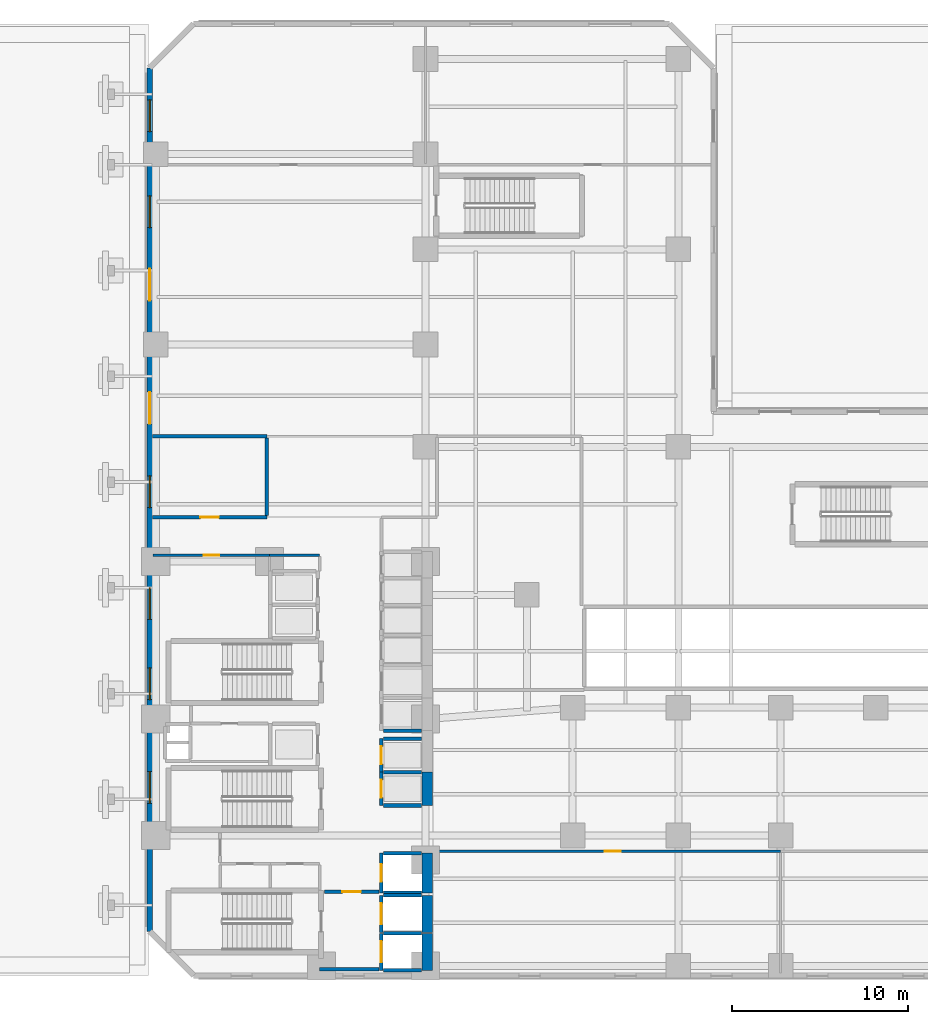
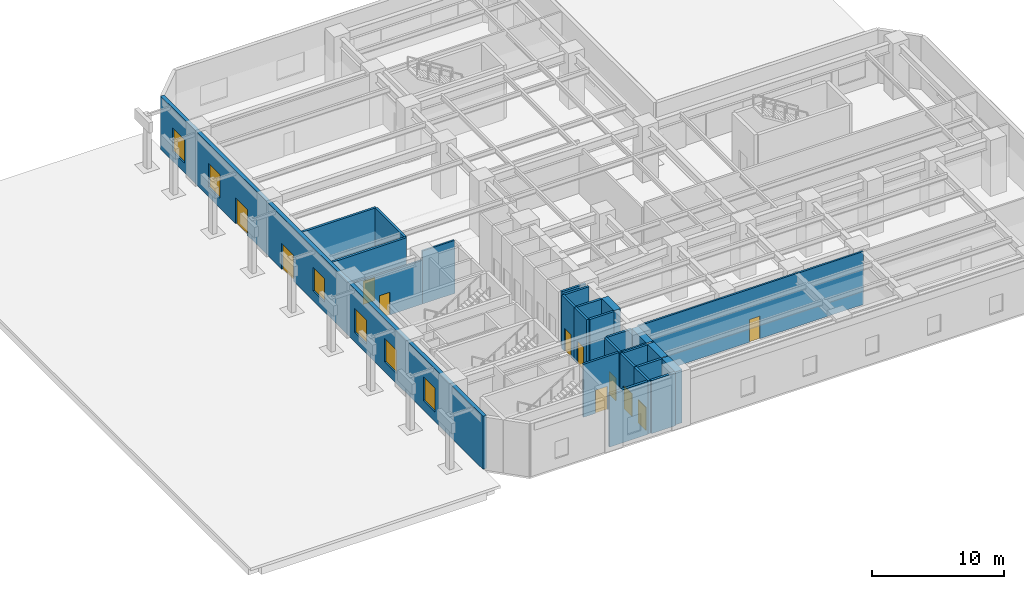
# One storey, part 4 of 14: 27 walls, 11 doors, 6 windows, 17 openings.
"""IFC4 building model written with IfcOpenShell, lengths in metres."""

from ifc_helpers import new_model, si_unit, direction, frame, frame_2d, origin, place, context, subcontext, project, spatial, rectangle, extrude, material, layer, layer_set, type_object, element, fill, save


model = new_model("IFC4")

# Units and contexts
model_context = context("Model", 3, precision=1e-05, world=origin(), true_north=direction((0.0, 1.0)))
body_context = subcontext(model_context, "Body", "Model", "MODEL_VIEW")
ifc_project = project(units=[si_unit("LENGTHUNIT", "METRE"), si_unit("AREAUNIT", "SQUARE_METRE"), si_unit("VOLUMEUNIT", "CUBIC_METRE"), si_unit("PLANEANGLEUNIT", "RADIAN"), si_unit("MASSUNIT", "GRAM", prefix="KILO")], contexts=[model_context])

# Site, building, storey
site_placement = place(None, origin())
site = spatial("IfcSite", under=ifc_project, at=site_placement, CompositionType="ELEMENT")
building_placement = place(site_placement, origin())
building = spatial("IfcBuilding", under=site, at=building_placement, Name="Mawjaban Terraces University", CompositionType="ELEMENT")
storey_placement = place(building_placement, origin())
storey = spatial("IfcBuildingStorey", under=building, at=storey_placement, Name="L00", CompositionType="ELEMENT", Elevation=0.0)

# Walls
ifc_material_1 = material(Name="Concrete C70/85", Category="concrete")
ifc_layer_1 = layer(ifc_material_1, 0.60009765625)
ifc_layer_set_1 = layer_set([ifc_layer_1], Name="Concrete C70/85")
wall_type_1 = type_object("IfcWallType", Name="CoreShearWall_600", PredefinedType="SHEAR", material=ifc_layer_set_1)
wall_1_placement = place(storey_placement, frame((37.75, 0.300048828125, 0.0), z_axis=(0.0, 0.0, 1.0), x_axis=(0.0, 1.0, 0.0)))
element("IfcWall", 1, at=wall_1_placement, inside=storey, type_object=wall_type_1, Name="L00 Lift FL-1 Hoistway Wall East", PredefinedType="SHEAR", context=body_context, shape_type="SweptSolid", body=[
    extrude(rectangle(XDim=2.099853515625, YDim=0.60009765625, at=frame_2d((1.0498046875, 0.0))), origin(), (0.0, 0.0, 1.0), 4.919921875),
])
wall_2_placement = place(storey_placement, frame((37.75, 2.449951171875, 0.0), z_axis=(0.0, 0.0, 1.0), x_axis=(0.0, 1.0, 0.0)))
element("IfcWall", 2, at=wall_2_placement, inside=storey, type_object=wall_type_1, Name="L00 Lift FL-2 Hoistway Wall East", PredefinedType="SHEAR", context=body_context, shape_type="SweptSolid", body=[
    extrude(rectangle(XDim=2.10009765625, YDim=0.60009765625, at=frame_2d((1.050048828125, 0.0))), origin(), (0.0, 0.0, 1.0), 4.919921875),
])
wall_3_placement = place(storey_placement, frame((37.75, 4.699951171875, 0.0), z_axis=(0.0, 0.0, 1.0), x_axis=(0.0, 1.0, 0.0)))
element("IfcWall", 3, at=wall_3_placement, inside=storey, type_object=wall_type_1, Name="L00 Lift SL-1 Hoistway Wall East", PredefinedType="SHEAR", context=body_context, shape_type="SweptSolid", body=[
    extrude(rectangle(XDim=2.25, YDim=0.60009765625, at=frame_2d((1.125, 0.0))), origin(), (0.0, 0.0, 1.0), 4.919921875),
])
wall_4_placement = place(storey_placement, frame((37.75, 9.64990234375, 0.0), z_axis=(0.0, 0.0, 1.0), x_axis=(0.0, 1.0, 0.0)))
element("IfcWall", 4, at=wall_4_placement, inside=storey, type_object=wall_type_1, Name="L00 Lift PL-H1 Hoistway Wall East", PredefinedType="SHEAR", context=body_context, shape_type="SweptSolid", body=[
    extrude(rectangle(XDim=1.900146484375, YDim=0.60009765625, at=frame_2d((0.9501953125, 0.0))), origin(), (0.0, 0.0, 1.0), 4.919921875),
])

# Wall, opening, door
ifc_material_2 = material(Name="Fire-rated gypsum board on steel stud", Category="steel")
ifc_layer_2 = layer(ifc_material_2, 0.159912109375)
ifc_layer_set_2 = layer_set([ifc_layer_2], Name="Fire-rated gypsum board on steel stud")
wall_type_2 = type_object("IfcWallType", Name="CorridorPartition_160", PredefinedType="PARTITIONING", material=ifc_layer_set_2)
wall_5_placement = place(storey_placement, frame((28.800048828125, 23.85009765625, 0.0), z_axis=(0.0, 0.0, 1.0), x_axis=(-1.0, 0.0, 0.0)))
wall_5 = element("IfcWall", 5, at=wall_5_placement, inside=storey, type_object=wall_type_2, Name="L00 Female Toilet Partition 6", PredefinedType="PARTITIONING", context=body_context, shape_type="SweptSolid", body=[
    extrude(rectangle(XDim=6.60009765625, YDim=0.159912109375, at=frame_2d((3.300048828125, 0.0))), origin(), (0.0, 0.0, 1.0), 4.06494140625),
])
opening_1_placement = place(wall_5_placement, frame((2.860107421875, 0.0, 0.0)))
opening_1 = element("IfcOpeningElement", 6, at=opening_1_placement, cuts=wall_5, Name="Opening ID-088", PredefinedType="OPENING", context=body_context, shape_type="SweptSolid", body=[
    extrude(rectangle(XDim=0.8798828125, YDim=2.10009765625, at=frame_2d((0.43994140625, 1.050048828125))), frame((0.0, 0.08984375, 0.0), z_axis=(0.0, -1.0, 0.0), x_axis=(1.0, 0.0, 0.0)), (0.0, 0.0, 1.0), 0.179931640625),
])
ifc_material_3 = material(Name="Powder-coated steel frame and solid acoustic timber leaf", Category="steel")
door_type_1 = type_object("IfcDoorType", Name="ToiletDoor_880x2100", OperationType="NOTDEFINED", PredefinedType="DOOR", material=ifc_material_3)
door_1_placement = place(opening_1_placement, origin())
door_1 = element("IfcDoor", 7, at=door_1_placement, inside=storey, type_object=door_type_1, Name="L00 Female Toilet Door", OperationType="SINGLE_SWING_LEFT", OverallHeight=2.10009765625, OverallWidth=0.8798828125, PredefinedType="DOOR", context=body_context, shape_type="SweptSolid", body=[
    extrude(rectangle(XDim=0.8798828125, YDim=2.10009765625, at=frame_2d((0.43994140625, 1.050048828125))), frame((0.0, 0.02490234375, 0.0), z_axis=(0.0, -1.0, 0.0), x_axis=(1.0, 0.0, 0.0)), (0.0, 0.0, 1.0), 0.050048828125),
])
fill(opening_1, door_1)

# Wall
wall_6_placement = place(storey_placement, frame((28.800048828125, 23.85009765625, 0.0), z_axis=(0.0, 0.0, 1.0), x_axis=(1.0, 0.0, 0.0)))
element("IfcWall", 8, at=wall_6_placement, inside=storey, type_object=wall_type_2, Name="L00 North Core Cross-Corridor Partition 7", PredefinedType="PARTITIONING", context=body_context, shape_type="SweptSolid", body=[
    extrude(rectangle(XDim=2.849853515625, YDim=0.159912109375, at=frame_2d((1.4248046875, 0.0))), origin(), (0.0, 0.0, 1.0), 4.919921875),
])

# Wall, opening, door
wall_7_placement = place(storey_placement, frame((38.050048828125, 7.050048828125, 0.0), z_axis=(0.0, 0.0, 1.0), x_axis=(1.0, 0.0, 0.0)))
wall_7 = element("IfcWall", 9, at=wall_7_placement, inside=storey, type_object=wall_type_2, Name="L00 Podium Lecture Theatre Foyer Partition 13", PredefinedType="PARTITIONING", context=body_context, shape_type="SweptSolid", body=[
    extrude(rectangle(XDim=19.75, YDim=0.159912109375, at=frame_2d((9.875, 0.0))), origin(), (0.0, 0.0, 1.0), 4.919921875),
])
opening_2_placement = place(wall_7_placement, frame((9.77490234375, 0.0, 0.0)))
opening_2 = element("IfcOpeningElement", 10, at=opening_2_placement, cuts=wall_7, Name="Opening ID-090", PredefinedType="OPENING", context=body_context, shape_type="SweptSolid", body=[
    extrude(rectangle(XDim=0.89990234375, YDim=2.10009765625, at=frame_2d((0.449951171875, 1.050048828125))), frame((0.0, 0.08984375, 0.0), z_axis=(0.0, -1.0, 0.0), x_axis=(1.0, 0.0, 0.0)), (0.0, 0.0, 1.0), 0.179931640625),
])
door_type_2 = type_object("IfcDoorType", Name="OfficeDoor_900x2100", OperationType="NOTDEFINED", PredefinedType="DOOR", material=ifc_material_3)
door_2_placement = place(opening_2_placement, origin())
door_2 = element("IfcDoor", 11, at=door_2_placement, inside=storey, type_object=door_type_2, Name="L00 Campus Security and Estates Office Door", OperationType="SINGLE_SWING_LEFT", OverallHeight=2.10009765625, OverallWidth=0.89990234375, PredefinedType="DOOR", context=body_context, shape_type="SweptSolid", body=[
    extrude(rectangle(XDim=0.89990234375, YDim=2.10009765625, at=frame_2d((0.449951171875, 1.050048828125))), frame((0.0, 0.02490234375, 0.0), z_axis=(0.0, -1.0, 0.0), x_axis=(1.0, 0.0, 0.0)), (0.0, 0.0, 1.0), 0.050048828125),
])
fill(opening_2, door_2)

# Wall, openings, doors, windows
ifc_material_4 = material(Name="Insulated terracotta rainscreen on concrete backup C40/50", Category="masonry")
ifc_layer_3 = layer(ifc_material_4, 0.320068359375)
ifc_layer_set_3 = layer_set([ifc_layer_3], Name="Insulated terracotta rainscreen on concrete backup C40/50")
wall_type_3 = type_object("IfcWallType", Name="ExtTerracottaWall_320", PredefinedType="SOLIDWALL", material=ifc_layer_set_3)
wall_8_placement = place(storey_placement, frame((22.0, 51.5, 0.0), z_axis=(0.0, 0.0, 1.0), x_axis=(0.0, -1.0, 0.0)))
wall_8 = element("IfcWall", 12, at=wall_8_placement, inside=storey, type_object=wall_type_3, Name="L00 Exterior Terracotta Wall 10", PredefinedType="SOLIDWALL", context=body_context, shape_type="SweptSolid", body=[
    extrude(rectangle(XDim=49.0, YDim=0.320068359375, at=frame_2d((24.5, 0.0))), origin(), (0.0, 0.0, 1.0), 4.919921875),
])
opening_3_placement = place(wall_8_placement, frame((11.39990234375, 0.0, 0.0)))
opening_3 = element("IfcOpeningElement", 13, at=opening_3_placement, cuts=wall_8, Name="Opening ED-180", PredefinedType="OPENING", context=body_context, shape_type="SweptSolid", body=[
    extrude(rectangle(XDim=1.800048828125, YDim=2.39990234375, at=frame_2d((0.89990234375, 1.199951171875))), frame((0.0, 0.169921875, 0.0), z_axis=(0.0, -1.0, 0.0), x_axis=(1.0, 0.0, 0.0)), (0.0, 0.0, 1.0), 0.340087890625),
])
opening_4_placement = place(wall_8_placement, frame((18.39990234375, 0.0, 0.0)))
opening_4 = element("IfcOpeningElement", 14, at=opening_4_placement, cuts=wall_8, Name="Opening ED-180", PredefinedType="OPENING", context=body_context, shape_type="SweptSolid", body=[
    extrude(rectangle(XDim=1.800048828125, YDim=2.39990234375, at=frame_2d((0.89990234375, 1.199951171875))), frame((0.0, 0.169921875, 0.0), z_axis=(0.0, -1.0, 0.0), x_axis=(1.0, 0.0, 0.0)), (0.0, 0.0, 1.0), 0.340087890625),
])
opening_5_placement = place(wall_8_placement, frame((1.822021484375, 0.0, 0.89990234375)))
opening_5 = element("IfcOpeningElement", 15, at=opening_5_placement, cuts=wall_8, Name="Opening W-10", PredefinedType="OPENING", context=body_context, shape_type="SweptSolid", body=[
    extrude(rectangle(XDim=1.800048828125, YDim=2.199951171875, at=frame_2d((0.89990234375, 1.10009765625))), frame((0.0, 0.169921875, 0.0), z_axis=(0.0, -1.0, 0.0), x_axis=(1.0, 0.0, 0.0)), (0.0, 0.0, 1.0), 0.340087890625),
])
opening_6_placement = place(wall_8_placement, frame((7.26708984375, 0.0, 0.89990234375)))
opening_6 = element("IfcOpeningElement", 16, at=opening_6_placement, cuts=wall_8, Name="Opening W-10", PredefinedType="OPENING", context=body_context, shape_type="SweptSolid", body=[
    extrude(rectangle(XDim=1.800048828125, YDim=2.199951171875, at=frame_2d((0.89990234375, 1.10009765625))), frame((0.0, 0.169921875, 0.0), z_axis=(0.0, -1.0, 0.0), x_axis=(1.0, 0.0, 0.0)), (0.0, 0.0, 1.0), 0.340087890625),
])
opening_7_placement = place(wall_8_placement, frame((23.14990234375, 0.0, 0.89990234375)))
opening_7 = element("IfcOpeningElement", 17, at=opening_7_placement, cuts=wall_8, Name="Opening W-10", PredefinedType="OPENING", context=body_context, shape_type="SweptSolid", body=[
    extrude(rectangle(XDim=1.800048828125, YDim=2.199951171875, at=frame_2d((0.89990234375, 1.10009765625))), frame((0.0, 0.169921875, 0.0), z_axis=(0.0, -1.0, 0.0), x_axis=(1.0, 0.0, 0.0)), (0.0, 0.0, 1.0), 0.340087890625),
])
opening_8_placement = place(wall_8_placement, frame((29.493896484375, 0.0, 0.89990234375)))
opening_8 = element("IfcOpeningElement", 18, at=opening_8_placement, cuts=wall_8, Name="Opening W-10", PredefinedType="OPENING", context=body_context, shape_type="SweptSolid", body=[
    extrude(rectangle(XDim=1.800048828125, YDim=2.199951171875, at=frame_2d((0.89990234375, 1.10009765625))), frame((0.0, 0.169921875, 0.0), z_axis=(0.0, -1.0, 0.0), x_axis=(1.0, 0.0, 0.0)), (0.0, 0.0, 1.0), 0.340087890625),
])
opening_9_placement = place(wall_8_placement, frame((34.0390625, 0.0, 0.89990234375)))
opening_9 = element("IfcOpeningElement", 19, at=opening_9_placement, cuts=wall_8, Name="Opening W-10", PredefinedType="OPENING", context=body_context, shape_type="SweptSolid", body=[
    extrude(rectangle(XDim=1.800048828125, YDim=2.199951171875, at=frame_2d((0.89990234375, 1.10009765625))), frame((0.0, 0.169921875, 0.0), z_axis=(0.0, -1.0, 0.0), x_axis=(1.0, 0.0, 0.0)), (0.0, 0.0, 1.0), 0.340087890625),
])
opening_10_placement = place(wall_8_placement, frame((39.93310546875, 0.0, 0.89990234375)))
opening_10 = element("IfcOpeningElement", 20, at=opening_10_placement, cuts=wall_8, Name="Opening W-10", PredefinedType="OPENING", context=body_context, shape_type="SweptSolid", body=[
    extrude(rectangle(XDim=1.800048828125, YDim=2.199951171875, at=frame_2d((0.89990234375, 1.10009765625))), frame((0.0, 0.169921875, 0.0), z_axis=(0.0, -1.0, 0.0), x_axis=(1.0, 0.0, 0.0)), (0.0, 0.0, 1.0), 0.340087890625),
])
ifc_material_5 = material(Name="Thermally broken anodised aluminium and laminated safety glass", Category="aluminium")
door_type_3 = type_object("IfcDoorType", Name="ExtEntranceDouble_1800x2400", OperationType="NOTDEFINED", PredefinedType="DOOR", material=ifc_material_5)
door_3_placement = place(opening_3_placement, origin())
door_3 = element("IfcDoor", 21, at=door_3_placement, inside=storey, type_object=door_type_3, Name="L00 Plaza Pedestrian Exit and Entrance Door W03", OperationType="DOUBLE_DOOR_SINGLE_SWING", OverallHeight=2.39990234375, OverallWidth=1.800048828125, PredefinedType="DOOR", context=body_context, shape_type="SweptSolid", body=[
    extrude(rectangle(XDim=1.800048828125, YDim=2.39990234375, at=frame_2d((0.89990234375, 1.199951171875))), frame((0.0, 0.02490234375, 0.0), z_axis=(0.0, -1.0, 0.0), x_axis=(1.0, 0.0, 0.0)), (0.0, 0.0, 1.0), 0.050048828125),
])
fill(opening_3, door_3)
door_4_placement = place(opening_4_placement, origin())
door_4 = element("IfcDoor", 22, at=door_4_placement, inside=storey, type_object=door_type_3, Name="L00 Plaza Pedestrian Exit and Entrance Door W04", OperationType="DOUBLE_DOOR_SINGLE_SWING", OverallHeight=2.39990234375, OverallWidth=1.800048828125, PredefinedType="DOOR", context=body_context, shape_type="SweptSolid", body=[
    extrude(rectangle(XDim=1.800048828125, YDim=2.39990234375, at=frame_2d((0.89990234375, 1.199951171875))), frame((0.0, 0.02490234375, 0.0), z_axis=(0.0, -1.0, 0.0), x_axis=(1.0, 0.0, 0.0)), (0.0, 0.0, 1.0), 0.050048828125),
])
fill(opening_4, door_4)
ifc_material_6 = material(Name="Low-E solar-control double glazing in thermally broken aluminium frame", Category="aluminium")
window_type = type_object("IfcWindowType", Name="Win_1800x2200", PartitioningType="SINGLE_PANEL", PredefinedType="WINDOW", material=ifc_material_6)
window_1_placement = place(opening_5_placement, origin())
window_1 = element("IfcWindow", 23, at=window_1_placement, inside=storey, type_object=window_type, Name="L00 Facade Window 10.1", OverallHeight=2.199951171875, OverallWidth=1.800048828125, PartitioningType="SINGLE_PANEL", PredefinedType="WINDOW", context=body_context, shape_type="SweptSolid", body=[
    extrude(rectangle(XDim=1.800048828125, YDim=2.199951171875, at=frame_2d((0.89990234375, 1.10009765625))), frame((0.0, 0.030029296875, 0.0), z_axis=(0.0, -1.0, 0.0), x_axis=(1.0, 0.0, 0.0)), (0.0, 0.0, 1.0), 0.06005859375),
])
fill(opening_5, window_1)
window_2_placement = place(opening_6_placement, origin())
window_2 = element("IfcWindow", 24, at=window_2_placement, inside=storey, type_object=window_type, Name="L00 Facade Window 10.2", OverallHeight=2.199951171875, OverallWidth=1.800048828125, PartitioningType="SINGLE_PANEL", PredefinedType="WINDOW", context=body_context, shape_type="SweptSolid", body=[
    extrude(rectangle(XDim=1.800048828125, YDim=2.199951171875, at=frame_2d((0.89990234375, 1.10009765625))), frame((0.0, 0.030029296875, 0.0), z_axis=(0.0, -1.0, 0.0), x_axis=(1.0, 0.0, 0.0)), (0.0, 0.0, 1.0), 0.06005859375),
])
fill(opening_6, window_2)
window_3_placement = place(opening_7_placement, origin())
window_3 = element("IfcWindow", 25, at=window_3_placement, inside=storey, type_object=window_type, Name="L00 Facade Window 10.5", OverallHeight=2.199951171875, OverallWidth=1.800048828125, PartitioningType="SINGLE_PANEL", PredefinedType="WINDOW", context=body_context, shape_type="SweptSolid", body=[
    extrude(rectangle(XDim=1.800048828125, YDim=2.199951171875, at=frame_2d((0.89990234375, 1.10009765625))), frame((0.0, 0.030029296875, 0.0), z_axis=(0.0, -1.0, 0.0), x_axis=(1.0, 0.0, 0.0)), (0.0, 0.0, 1.0), 0.06005859375),
])
fill(opening_7, window_3)
window_4_placement = place(opening_8_placement, origin())
window_4 = element("IfcWindow", 26, at=window_4_placement, inside=storey, type_object=window_type, Name="L00 Facade Window 10.6", OverallHeight=2.199951171875, OverallWidth=1.800048828125, PartitioningType="SINGLE_PANEL", PredefinedType="WINDOW", context=body_context, shape_type="SweptSolid", body=[
    extrude(rectangle(XDim=1.800048828125, YDim=2.199951171875, at=frame_2d((0.89990234375, 1.10009765625))), frame((0.0, 0.030029296875, 0.0), z_axis=(0.0, -1.0, 0.0), x_axis=(1.0, 0.0, 0.0)), (0.0, 0.0, 1.0), 0.06005859375),
])
fill(opening_8, window_4)
window_5_placement = place(opening_9_placement, origin())
window_5 = element("IfcWindow", 27, at=window_5_placement, inside=storey, type_object=window_type, Name="L00 Facade Window 10.7", OverallHeight=2.199951171875, OverallWidth=1.800048828125, PartitioningType="SINGLE_PANEL", PredefinedType="WINDOW", context=body_context, shape_type="SweptSolid", body=[
    extrude(rectangle(XDim=1.800048828125, YDim=2.199951171875, at=frame_2d((0.89990234375, 1.10009765625))), frame((0.0, 0.030029296875, 0.0), z_axis=(0.0, -1.0, 0.0), x_axis=(1.0, 0.0, 0.0)), (0.0, 0.0, 1.0), 0.06005859375),
])
fill(opening_9, window_5)
window_6_placement = place(opening_10_placement, origin())
window_6 = element("IfcWindow", 28, at=window_6_placement, inside=storey, type_object=window_type, Name="L00 Facade Window 10.8", OverallHeight=2.199951171875, OverallWidth=1.800048828125, PartitioningType="SINGLE_PANEL", PredefinedType="WINDOW", context=body_context, shape_type="SweptSolid", body=[
    extrude(rectangle(XDim=1.800048828125, YDim=2.199951171875, at=frame_2d((0.89990234375, 1.10009765625))), frame((0.0, 0.030029296875, 0.0), z_axis=(0.0, -1.0, 0.0), x_axis=(1.0, 0.0, 0.0)), (0.0, 0.0, 1.0), 0.06005859375),
])
fill(opening_10, window_6)

# Wall, opening, door
ifc_material_7 = material(Name="Concrete C40/50", Category="concrete")
ifc_layer_4 = layer(ifc_material_7, 0.199951171875)
ifc_layer_set_4 = layer_set([ifc_layer_4], Name="Concrete C40/50")
wall_type_4 = type_object("IfcWallType", Name="FireLobbyWall_200", PredefinedType="SOLIDWALL", material=ifc_layer_set_4)
wall_9_placement = place(storey_placement, frame((35.14990234375, 2.39990234375, 0.0), z_axis=(0.0, 0.0, 1.0), x_axis=(0.0, -1.0, 0.0)))
wall_9 = element("IfcWall", 29, at=wall_9_placement, inside=storey, type_object=wall_type_4, Name="L00 Lift FL-1 Hoistway Wall West", PredefinedType="SOLIDWALL", context=body_context, shape_type="SweptSolid", body=[
    extrude(rectangle(XDim=2.099853515625, YDim=0.199951171875, at=frame_2d((1.0498046875, 0.0))), origin(), (0.0, 0.0, 1.0), 4.919921875),
])
opening_11_placement = place(wall_9_placement, frame((0.449951171875, 0.0, 0.0)))
opening_11 = element("IfcOpeningElement", 30, at=opening_11_placement, cuts=wall_9, Name="Opening LD-FL-1", PredefinedType="OPENING", context=body_context, shape_type="SweptSolid", body=[
    extrude(rectangle(XDim=1.199951171875, YDim=2.14990234375, at=frame_2d((0.60009765625, 1.074951171875))), frame((0.0, 0.10986328125, 0.0), z_axis=(0.0, -1.0, 0.0), x_axis=(1.0, 0.0, 0.0)), (0.0, 0.0, 1.0), 0.219970703125),
])
ifc_material_8 = material(Name="Powder-coated steel frame and fire-rated steel-faced leaf", Category="steel")
door_type_4 = type_object("IfcDoorType", Name="LiftLandingFSAE_1200x2150", OperationType="NOTDEFINED", PredefinedType="DOOR", material=ifc_material_8)
door_5_placement = place(opening_11_placement, origin())
door_5 = element("IfcDoor", 31, at=door_5_placement, inside=storey, type_object=door_type_4, Name="L00 Lift FL-1 Sliding Landing Door", OperationType="DOUBLE_DOOR_SLIDING", OverallHeight=2.14990234375, OverallWidth=1.199951171875, PredefinedType="DOOR", context=body_context, shape_type="SweptSolid", body=[
    extrude(rectangle(XDim=1.199951171875, YDim=2.14990234375, at=frame_2d((0.60009765625, 1.074951171875))), frame((0.0, 0.02490234375, 0.0), z_axis=(0.0, -1.0, 0.0), x_axis=(1.0, 0.0, 0.0)), (0.0, 0.0, 1.0), 0.050048828125),
])
fill(opening_11, door_5)

# Walls
for number, where, z_axis, x_axis, name in (
    (32, (35.280029296875, 0.300048828125, 0.0), (0.0, 0.0, 1.0), (1.0, 0.0, 0.0), "L00 Lift FL-1 Hoistway Wall South"),
    (33, (37.419921875, 2.39990234375, 0.0), (0.0, 0.0, 1.0), (-1.0, 0.0, 0.0), "L00 Lift FL-1 Hoistway Wall North"),
):
    element("IfcWall", number, at=place(storey_placement, frame(where, z_axis=z_axis, x_axis=x_axis)), inside=storey, type_object=wall_type_4, Name=name, PredefinedType="SOLIDWALL", context=body_context, shape_type="SweptSolid", body=[
        extrude(rectangle(XDim=2.139892578125, YDim=0.199951171875, at=frame_2d((1.06982421875, 0.0))), origin(), (0.0, 0.0, 1.0), 4.919921875),
    ])

# Wall, opening, door
wall_10_placement = place(storey_placement, frame((35.14990234375, 4.550048828125, 0.0), z_axis=(0.0, 0.0, 1.0), x_axis=(0.0, -1.0, 0.0)))
wall_10 = element("IfcWall", 34, at=wall_10_placement, inside=storey, type_object=wall_type_4, Name="L00 Lift FL-2 Hoistway Wall West", PredefinedType="SOLIDWALL", context=body_context, shape_type="SweptSolid", body=[
    extrude(rectangle(XDim=2.10009765625, YDim=0.199951171875, at=frame_2d((1.050048828125, 0.0))), origin(), (0.0, 0.0, 1.0), 4.919921875),
])
opening_12_placement = place(wall_10_placement, frame((0.449951171875, 0.0, 0.0)))
opening_12 = element("IfcOpeningElement", 35, at=opening_12_placement, cuts=wall_10, Name="Opening LD-FL-2", PredefinedType="OPENING", context=body_context, shape_type="SweptSolid", body=[
    extrude(rectangle(XDim=1.199951171875, YDim=2.14990234375, at=frame_2d((0.60009765625, 1.074951171875))), frame((0.0, 0.10986328125, 0.0), z_axis=(0.0, -1.0, 0.0), x_axis=(1.0, 0.0, 0.0)), (0.0, 0.0, 1.0), 0.219970703125),
])
door_6_placement = place(opening_12_placement, origin())
door_6 = element("IfcDoor", 36, at=door_6_placement, inside=storey, type_object=door_type_4, Name="L00 Lift FL-2 Sliding Landing Door", OperationType="DOUBLE_DOOR_SLIDING", OverallHeight=2.14990234375, OverallWidth=1.199951171875, PredefinedType="DOOR", context=body_context, shape_type="SweptSolid", body=[
    extrude(rectangle(XDim=1.199951171875, YDim=2.14990234375, at=frame_2d((0.60009765625, 1.074951171875))), frame((0.0, 0.02490234375, 0.0), z_axis=(0.0, -1.0, 0.0), x_axis=(1.0, 0.0, 0.0)), (0.0, 0.0, 1.0), 0.050048828125),
])
fill(opening_12, door_6)

# Wall
wall_11_placement = place(storey_placement, frame((37.419921875, 4.550048828125, 0.0), z_axis=(0.0, 0.0, 1.0), x_axis=(-1.0, 0.0, 0.0)))
element("IfcWall", 37, at=wall_11_placement, inside=storey, type_object=wall_type_4, Name="L00 Lift FL-2 Hoistway Wall North", PredefinedType="SOLIDWALL", context=body_context, shape_type="SweptSolid", body=[
    extrude(rectangle(XDim=2.139892578125, YDim=0.199951171875, at=frame_2d((1.06982421875, 0.0))), origin(), (0.0, 0.0, 1.0), 4.919921875),
])

# Wall, opening, door
wall_12_placement = place(storey_placement, frame((35.14990234375, 6.949951171875, 0.0), z_axis=(0.0, 0.0, 1.0), x_axis=(0.0, -1.0, 0.0)))
wall_12 = element("IfcWall", 38, at=wall_12_placement, inside=storey, type_object=wall_type_4, Name="L00 Lift SL-1 Hoistway Wall West", PredefinedType="SOLIDWALL", context=body_context, shape_type="SweptSolid", body=[
    extrude(rectangle(XDim=2.25, YDim=0.199951171875, at=frame_2d((1.125, 0.0))), origin(), (0.0, 0.0, 1.0), 4.919921875),
])
opening_13_placement = place(wall_12_placement, frame((0.625, 0.0, 0.0)))
opening_13 = element("IfcOpeningElement", 39, at=opening_13_placement, cuts=wall_12, Name="Opening LD-SL-1", PredefinedType="OPENING", context=body_context, shape_type="SweptSolid", body=[
    extrude(rectangle(XDim=1.0, YDim=2.10009765625, at=frame_2d((0.5, 1.050048828125))), frame((0.0, 0.10986328125, 0.0), z_axis=(0.0, -1.0, 0.0), x_axis=(1.0, 0.0, 0.0)), (0.0, 0.0, 1.0), 0.219970703125),
])
door_type_5 = type_object("IfcDoorType", Name="LiftLandingSliding_1000x2100", OperationType="NOTDEFINED", PredefinedType="DOOR", material=ifc_material_8)
door_7_placement = place(opening_13_placement, origin())
door_7 = element("IfcDoor", 40, at=door_7_placement, inside=storey, type_object=door_type_5, Name="L00 Lift SL-1 Sliding Landing Door", OperationType="DOUBLE_DOOR_SLIDING", OverallHeight=2.10009765625, OverallWidth=1.0, PredefinedType="DOOR", context=body_context, shape_type="SweptSolid", body=[
    extrude(rectangle(XDim=1.0, YDim=2.10009765625, at=frame_2d((0.5, 1.050048828125))), frame((0.0, 0.02490234375, 0.0), z_axis=(0.0, -1.0, 0.0), x_axis=(1.0, 0.0, 0.0)), (0.0, 0.0, 1.0), 0.050048828125),
])
fill(opening_13, door_7)

# Walls
for number, where, z_axis, x_axis, name in (
    (41, (35.280029296875, 4.699951171875, 0.0), (0.0, 0.0, 1.0), (1.0, 0.0, 0.0), "L00 Lift SL-1 Hoistway Wall South"),
    (42, (37.419921875, 6.949951171875, 0.0), (0.0, 0.0, 1.0), (-1.0, 0.0, 0.0), "L00 Lift SL-1 Hoistway Wall North"),
):
    element("IfcWall", number, at=place(storey_placement, frame(where, z_axis=z_axis, x_axis=x_axis)), inside=storey, type_object=wall_type_4, Name=name, PredefinedType="SOLIDWALL", context=body_context, shape_type="SweptSolid", body=[
        extrude(rectangle(XDim=2.139892578125, YDim=0.199951171875, at=frame_2d((1.06982421875, 0.0))), origin(), (0.0, 0.0, 1.0), 4.919921875),
    ])

# Wall, opening, door
wall_13_placement = place(storey_placement, frame((35.14990234375, 11.550048828125, 0.0), z_axis=(0.0, 0.0, 1.0), x_axis=(0.0, -1.0, 0.0)))
wall_13 = element("IfcWall", 43, at=wall_13_placement, inside=storey, type_object=wall_type_4, Name="L00 Lift PL-H1 Hoistway Wall West", PredefinedType="SOLIDWALL", context=body_context, shape_type="SweptSolid", body=[
    extrude(rectangle(XDim=1.900146484375, YDim=0.199951171875, at=frame_2d((0.9501953125, 0.0))), origin(), (0.0, 0.0, 1.0), 4.919921875),
])
opening_14_placement = place(wall_13_placement, frame((0.449951171875, 0.0, 0.0)))
opening_14 = element("IfcOpeningElement", 44, at=opening_14_placement, cuts=wall_13, Name="Opening LD-PL-H1", PredefinedType="OPENING", context=body_context, shape_type="SweptSolid", body=[
    extrude(rectangle(XDim=1.0, YDim=2.10009765625, at=frame_2d((0.5, 1.050048828125))), frame((0.0, 0.10986328125, 0.0), z_axis=(0.0, -1.0, 0.0), x_axis=(1.0, 0.0, 0.0)), (0.0, 0.0, 1.0), 0.219970703125),
])
door_8_placement = place(opening_14_placement, origin())
door_8 = element("IfcDoor", 45, at=door_8_placement, inside=storey, type_object=door_type_5, Name="L00 Lift PL-H1 Sliding Landing Door", OperationType="DOUBLE_DOOR_SLIDING", OverallHeight=2.10009765625, OverallWidth=1.0, PredefinedType="DOOR", context=body_context, shape_type="SweptSolid", body=[
    extrude(rectangle(XDim=1.0, YDim=2.10009765625, at=frame_2d((0.5, 1.050048828125))), frame((0.0, 0.02490234375, 0.0), z_axis=(0.0, -1.0, 0.0), x_axis=(1.0, 0.0, 0.0)), (0.0, 0.0, 1.0), 0.050048828125),
])
fill(opening_14, door_8)

# Walls
for number, where, z_axis, x_axis, name in (
    (46, (35.280029296875, 9.64990234375, 0.0), (0.0, 0.0, 1.0), (1.0, 0.0, 0.0), "L00 Lift PL-H1 Hoistway Wall South"),
    (47, (37.419921875, 11.550048828125, 0.0), (0.0, 0.0, 1.0), (-1.0, 0.0, 0.0), "L00 Lift PL-H1 Hoistway Wall North"),
):
    element("IfcWall", number, at=place(storey_placement, frame(where, z_axis=z_axis, x_axis=x_axis)), inside=storey, type_object=wall_type_4, Name=name, PredefinedType="SOLIDWALL", context=body_context, shape_type="SweptSolid", body=[
        extrude(rectangle(XDim=2.139892578125, YDim=0.199951171875, at=frame_2d((1.06982421875, 0.0))), origin(), (0.0, 0.0, 1.0), 4.919921875),
    ])

# Wall, opening, door
wall_14_placement = place(storey_placement, frame((35.14990234375, 13.449951171875, 0.0), z_axis=(0.0, 0.0, 1.0), x_axis=(0.0, -1.0, 0.0)))
wall_14 = element("IfcWall", 48, at=wall_14_placement, inside=storey, type_object=wall_type_4, Name="L00 Lift PL-H2 Hoistway Wall West", PredefinedType="SOLIDWALL", context=body_context, shape_type="SweptSolid", body=[
    extrude(rectangle(XDim=1.89990234375, YDim=0.199951171875, at=frame_2d((0.949951171875, 0.0))), origin(), (0.0, 0.0, 1.0), 4.919921875),
])
opening_15_placement = place(wall_14_placement, frame((0.449951171875, 0.0, 0.0)))
opening_15 = element("IfcOpeningElement", 49, at=opening_15_placement, cuts=wall_14, Name="Opening LD-PL-H2", PredefinedType="OPENING", context=body_context, shape_type="SweptSolid", body=[
    extrude(rectangle(XDim=1.0, YDim=2.10009765625, at=frame_2d((0.5, 1.050048828125))), frame((0.0, 0.10986328125, 0.0), z_axis=(0.0, -1.0, 0.0), x_axis=(1.0, 0.0, 0.0)), (0.0, 0.0, 1.0), 0.219970703125),
])
door_9_placement = place(opening_15_placement, origin())
door_9 = element("IfcDoor", 50, at=door_9_placement, inside=storey, type_object=door_type_5, Name="L00 Lift PL-H2 Sliding Landing Door", OperationType="DOUBLE_DOOR_SLIDING", OverallHeight=2.10009765625, OverallWidth=1.0, PredefinedType="DOOR", context=body_context, shape_type="SweptSolid", body=[
    extrude(rectangle(XDim=1.0, YDim=2.10009765625, at=frame_2d((0.5, 1.050048828125))), frame((0.0, 0.02490234375, 0.0), z_axis=(0.0, -1.0, 0.0), x_axis=(1.0, 0.0, 0.0)), (0.0, 0.0, 1.0), 0.050048828125),
])
fill(opening_15, door_9)

# Walls
for number, where, z_axis, x_axis, name in (
    (51, (37.419921875, 13.449951171875, 0.0), (0.0, 0.0, 1.0), (-1.0, 0.0, 0.0), "L00 Lift PL-H2 Hoistway Wall North"),
    (52, (35.280029296875, 13.89990234375, 0.0), (0.0, 0.0, 1.0), (1.0, 0.0, 0.0), "L00 Lift OL-1 Hoistway Wall South"),
):
    element("IfcWall", number, at=place(storey_placement, frame(where, z_axis=z_axis, x_axis=x_axis)), inside=storey, type_object=wall_type_4, Name=name, PredefinedType="SOLIDWALL", context=body_context, shape_type="SweptSolid", body=[
        extrude(rectangle(XDim=2.139892578125, YDim=0.199951171875, at=frame_2d((1.06982421875, 0.0))), origin(), (0.0, 0.0, 1.0), 4.919921875),
    ])

# Wall, opening, door
wall_15_placement = place(storey_placement, frame((28.64990234375, 26.0, 0.0), z_axis=(0.0, 0.0, 1.0), x_axis=(-1.0, 0.0, 0.0)))
wall_15 = element("IfcWall", 53, at=wall_15_placement, inside=storey, type_object=wall_type_4, Name="L00 North Core Cross-Corridor Partition 4", PredefinedType="SOLIDWALL", context=body_context, shape_type="SweptSolid", body=[
    extrude(rectangle(XDim=6.494873046875, YDim=0.199951171875, at=frame_2d((3.24755859375, 0.0))), origin(), (0.0, 0.0, 1.0), 4.919921875),
])
opening_16_placement = place(wall_15_placement, frame((2.721923828125, 0.0, 0.0)))
opening_16 = element("IfcOpeningElement", 54, at=opening_16_placement, cuts=wall_15, Name="Opening FD-105", PredefinedType="OPENING", context=body_context, shape_type="SweptSolid", body=[
    extrude(rectangle(XDim=1.050048828125, YDim=2.14990234375, at=frame_2d((0.52490234375, 1.074951171875))), frame((0.0, 0.10986328125, 0.0), z_axis=(0.0, -1.0, 0.0), x_axis=(1.0, 0.0, 0.0)), (0.0, 0.0, 1.0), 0.219970703125),
])
door_type_6 = type_object("IfcDoorType", Name="FireLobbyDoor_1050x2150", OperationType="NOTDEFINED", PredefinedType="DOOR", material=ifc_material_8)
door_10_placement = place(opening_16_placement, origin())
door_10 = element("IfcDoor", 55, at=door_10_placement, inside=storey, type_object=door_type_6, Name="L00 Fire Command Centre Door", OperationType="SINGLE_SWING_RIGHT", OverallHeight=2.14990234375, OverallWidth=1.050048828125, PredefinedType="DOOR", context=body_context, shape_type="SweptSolid", body=[
    extrude(rectangle(XDim=1.050048828125, YDim=2.14990234375, at=frame_2d((0.52490234375, 1.074951171875))), frame((0.0, 0.02490234375, 0.0), z_axis=(0.0, -1.0, 0.0), x_axis=(1.0, 0.0, 0.0)), (0.0, 0.0, 1.0), 0.050048828125),
])
fill(opening_16, door_10)

# Walls
wall_16_placement = place(storey_placement, frame((28.64990234375, 30.60009765625, 0.0), z_axis=(0.0, 0.0, 1.0), x_axis=(-1.0, 0.0, 0.0)))
element("IfcWall", 56, at=wall_16_placement, inside=storey, type_object=wall_type_4, Name="L00 Fire Command Centre Partition 5", PredefinedType="SOLIDWALL", context=body_context, shape_type="SweptSolid", body=[
    extrude(rectangle(XDim=6.494873046875, YDim=0.199951171875, at=frame_2d((3.24755859375, 0.0))), origin(), (0.0, 0.0, 1.0), 4.919921875),
])
wall_17_placement = place(storey_placement, frame((31.64990234375, 0.35009765625, 0.0), z_axis=(0.0, 0.0, 1.0), x_axis=(1.0, 0.0, 0.0)))
element("IfcWall", 57, at=wall_17_placement, inside=storey, type_object=wall_type_4, Name="L00 Firefighting Lift Lobby Partition 9", PredefinedType="SOLIDWALL", context=body_context, shape_type="SweptSolid", body=[
    extrude(rectangle(XDim=3.3701171875, YDim=0.199951171875, at=frame_2d((1.68505859375, 0.0))), origin(), (0.0, 0.0, 1.0), 4.919921875),
])

# Wall, opening, door
wall_18_placement = place(storey_placement, frame((35.02001953125, 4.75, 0.0), z_axis=(0.0, 0.0, 1.0), x_axis=(-1.0, 0.0, 0.0)))
wall_18 = element("IfcWall", 58, at=wall_18_placement, inside=storey, type_object=wall_type_4, Name="L00 Firefighting Lift Lobby Partition 10", PredefinedType="SOLIDWALL", context=body_context, shape_type="SweptSolid", body=[
    extrude(rectangle(XDim=3.110107421875, YDim=0.199951171875, at=frame_2d((1.55517578125, 0.0))), origin(), (0.0, 0.0, 1.0), 4.919921875),
])
opening_17_placement = place(wall_18_placement, frame((1.030029296875, 0.0, 0.0)))
opening_17 = element("IfcOpeningElement", 59, at=opening_17_placement, cuts=wall_18, Name="Opening FD-105", PredefinedType="OPENING", context=body_context, shape_type="SweptSolid", body=[
    extrude(rectangle(XDim=1.050048828125, YDim=2.14990234375, at=frame_2d((0.52490234375, 1.074951171875))), frame((0.0, 0.10986328125, 0.0), z_axis=(0.0, -1.0, 0.0), x_axis=(1.0, 0.0, 0.0)), (0.0, 0.0, 1.0), 0.219970703125),
])
door_11_placement = place(opening_17_placement, origin())
door_11 = element("IfcDoor", 60, at=door_11_placement, inside=storey, type_object=door_type_6, Name="L00 Firefighting Lift Lobby Door", OperationType="SINGLE_SWING_RIGHT", OverallHeight=2.14990234375, OverallWidth=1.050048828125, PredefinedType="DOOR", context=body_context, shape_type="SweptSolid", body=[
    extrude(rectangle(XDim=1.050048828125, YDim=2.14990234375, at=frame_2d((0.52490234375, 1.074951171875))), frame((0.0, 0.02490234375, 0.0), z_axis=(0.0, -1.0, 0.0), x_axis=(1.0, 0.0, 0.0)), (0.0, 0.0, 1.0), 0.050048828125),
])
fill(opening_17, door_11)

# Wall
wall_19_placement = place(storey_placement, frame((28.64990234375, 26.094970703125, 0.0), z_axis=(0.0, 0.0, 1.0), x_axis=(0.0, 1.0, 0.0)))
element("IfcWall", 61, at=wall_19_placement, inside=storey, type_object=wall_type_4, Name="L00 Fire Command Centre Partition 23", PredefinedType="SOLIDWALL", context=body_context, shape_type="SweptSolid", body=[
    extrude(rectangle(XDim=4.409912109375, YDim=0.199951171875, at=frame_2d((2.205078125, 0.0))), origin(), (0.0, 0.0, 1.0), 4.919921875),
])

save(model, "model.ifc")
